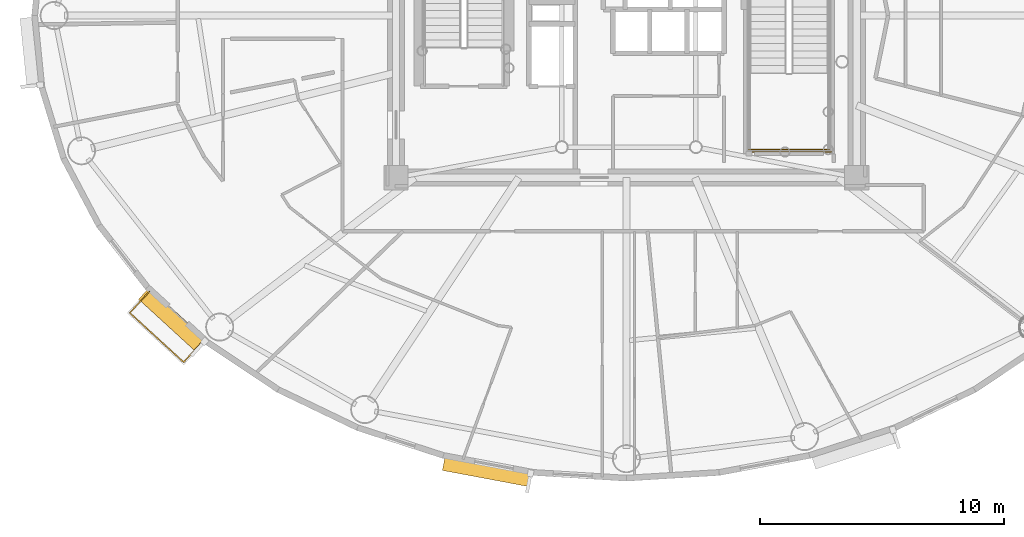
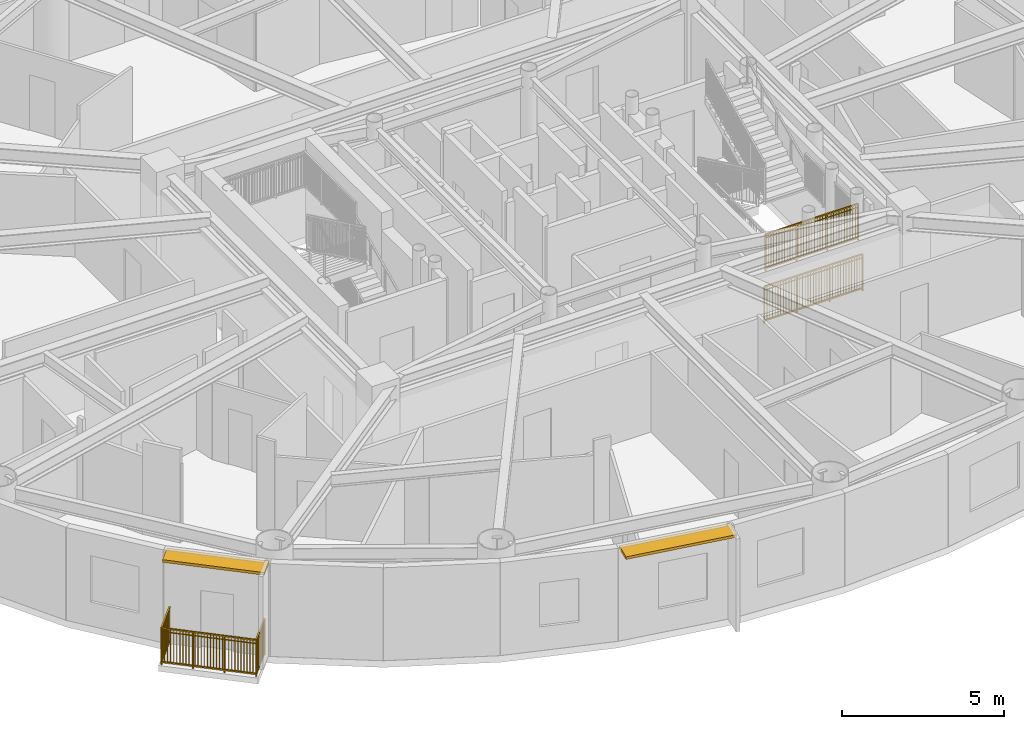
# One storey, part 11 of 16: 3 railings, 2 shading devices.
"""IFC4 building model written with IfcOpenShell, lengths in metres."""

from ifc_helpers import new_model, si_unit, direction, frame, origin, origin_2d, place, context, subcontext, project, spatial, rectangle, extrude, source, transform, mapped, material, layer, layer_set, type_object, element, save


model = new_model("IFC4")

# Units and contexts
model_context = context("Model", 3, precision=1e-05, world=origin(), true_north=direction((0.0, 1.0)))
body_context = subcontext(model_context, "Body", "Model", "MODEL_VIEW")
ifc_project = project(units=[si_unit("LENGTHUNIT", "METRE"), si_unit("AREAUNIT", "SQUARE_METRE"), si_unit("VOLUMEUNIT", "CUBIC_METRE"), si_unit("PLANEANGLEUNIT", "RADIAN"), si_unit("MASSUNIT", "GRAM", prefix="KILO")], contexts=[model_context])

# Site, building, storey
site_placement = place(None, origin())
site = spatial("IfcSite", under=ifc_project, at=site_placement, CompositionType="ELEMENT")
building_placement = place(site_placement, origin())
building = spatial("IfcBuilding", under=site, at=building_placement, Name="Linh Dai School and Residence Tower", CompositionType="ELEMENT")
storey_placement = place(building_placement, frame((0.0, 0.0, 255.300048828125)))
storey = spatial("IfcBuildingStorey", under=building, at=storey_placement, Name="L63", CompositionType="ELEMENT", Elevation=255.300048828125)

# Shading devices
ifc_material_1 = material(Name="Terracotta Ceramic Sunshade", Category="masonry")
ifc_layer = layer(ifc_material_1, 0.10009765625)
ifc_layer_set = layer_set([ifc_layer], Name="Terracotta Ceramic Sunshade")
shading_device_type = type_object("IfcShadingDeviceType", Name="SHD-TC-650", PredefinedType="USERDEFINED", material=ifc_layer_set)
shared_shape_1 = source(origin(), body_context, "Body", "SweptSolid", [
    extrude(rectangle(XDim=3.219482421875, YDim=0.64990234375, at=origin_2d()), origin(), (0.0, 0.0, 1.0), 0.10009765625),
])
shading_device_1_placement = place(storey_placement, frame((17.39501953125, 14.51220703125, 3.3798828125), z_axis=(0.0, 0.0, 1.0), x_axis=(-0.737125300096, 0.675756089102, 0.0)))
element("IfcShadingDevice", 1, at=shading_device_1_placement, inside=storey, type_object=shading_device_type, Name="L63 Terracotta Horizontal Sunshade Band 25", ObjectType="SUNSHADE", PredefinedType="USERDEFINED", context=body_context, shape_type="MappedRepresentation", body=[
    mapped(shared_shape_1, transform((0.0, 0.0, 0.0), x_axis=(1.0, 0.0, 0.0), y_axis=(0.0, 1.0, 0.0), z_axis=(0.0, 0.0, 1.0), scale=1.0)),
])
shared_shape_2 = source(origin(), body_context, "Body", "SweptSolid", [
    extrude(rectangle(XDim=3.62158203125, YDim=0.64990234375, at=origin_2d()), origin(), (0.0, 0.0, 1.0), 0.10009765625),
])
shading_device_2_placement = place(storey_placement, frame((30.2919921875, 8.32275390625, 3.3798828125), z_axis=(0.0, 0.0, 1.0), x_axis=(-0.982786586765, 0.18474448537, 0.0)))
element("IfcShadingDevice", 2, at=shading_device_2_placement, inside=storey, type_object=shading_device_type, Name="L63 Terracotta Horizontal Sunshade Band 29", ObjectType="SUNSHADE", PredefinedType="USERDEFINED", context=body_context, shape_type="MappedRepresentation", body=[
    mapped(shared_shape_2, transform((0.0, 0.0, 0.0), x_axis=(1.0, 0.0, 0.0), y_axis=(0.0, 1.0, 0.0), z_axis=(0.0, 0.0, 1.0), scale=1.0)),
])

# Railings
ifc_material_2 = material(Name="Structural Steel S355JR", Category="steel")
railing_type_1 = type_object("IfcRailingType", Name="RL-BAL-1400", PredefinedType="BALUSTRADE", material=ifc_material_2)
shared_shape_3 = source(origin(), body_context, "Body", "SweptSolid", [
    extrude(rectangle(XDim=0.048095703125, YDim=0.048095703125, at=origin_2d()), frame((0.0, 0.0, 1.3759765625), z_axis=(-0.675715259685, -0.737162728187, 0.0), x_axis=(0.737162728187, -0.675715259685, 0.0)), (0.0, 0.0, 1.0), 1.179931640625),
    extrude(rectangle(XDim=0.048095703125, YDim=0.048095703125, at=origin_2d()), frame((0.0, 0.0, 0.10009765625), z_axis=(-0.675715259685, -0.737162728187, 0.0), x_axis=(0.737162728187, -0.675715259685, 0.0)), (0.0, 0.0, 1.0), 1.179931640625),
    extrude(rectangle(XDim=0.030029296875, YDim=0.030029296875, at=origin_2d()), frame((0.0, 0.0, 1.239990234375), z_axis=(-0.675715259685, -0.737162728187, 0.0), x_axis=(0.737162728187, -0.675715259685, 0.0)), (0.0, 0.0, 1.0), 1.179931640625),
    extrude(rectangle(XDim=0.02001953125, YDim=0.02001953125, at=origin_2d()), frame((-0.061279296875, -0.06689453125, 0.10009765625)), (0.0, 0.0, 1.0), 1.251708984375),
    extrude(rectangle(XDim=0.02001953125, YDim=0.02001953125, at=origin_2d()), frame((-0.12255859375, -0.1337890625, 0.10009765625)), (0.0, 0.0, 1.0), 1.251708984375),
    extrude(rectangle(XDim=0.02001953125, YDim=0.02001953125, at=origin_2d()), frame((-0.18408203125, -0.20068359375, 0.10009765625)), (0.0, 0.0, 1.0), 1.251708984375),
    extrude(rectangle(XDim=0.02001953125, YDim=0.02001953125, at=origin_2d()), frame((-0.245361328125, -0.267578125, 0.10009765625)), (0.0, 0.0, 1.0), 1.251708984375),
    extrude(rectangle(XDim=0.02001953125, YDim=0.02001953125, at=origin_2d()), frame((-0.306640625, -0.33447265625, 0.10009765625)), (0.0, 0.0, 1.0), 1.251708984375),
    extrude(rectangle(XDim=0.02001953125, YDim=0.02001953125, at=origin_2d()), frame((-0.367919921875, -0.4013671875, 0.10009765625)), (0.0, 0.0, 1.0), 1.251708984375),
    extrude(rectangle(XDim=0.02001953125, YDim=0.02001953125, at=origin_2d()), frame((-0.429443359375, -0.468505859375, 0.10009765625)), (0.0, 0.0, 1.0), 1.251708984375),
    extrude(rectangle(XDim=0.02001953125, YDim=0.02001953125, at=origin_2d()), frame((-0.49072265625, -0.535400390625, 0.10009765625)), (0.0, 0.0, 1.0), 1.251708984375),
    extrude(rectangle(XDim=0.02001953125, YDim=0.02001953125, at=origin_2d()), frame((-0.552001953125, -0.602294921875, 0.10009765625)), (0.0, 0.0, 1.0), 1.251708984375),
    extrude(rectangle(XDim=0.02001953125, YDim=0.02001953125, at=origin_2d()), frame((-0.61328125, -0.669189453125, 0.10009765625)), (0.0, 0.0, 1.0), 1.251708984375),
    extrude(rectangle(XDim=0.02001953125, YDim=0.02001953125, at=origin_2d()), frame((-0.6748046875, -0.736083984375, 0.10009765625)), (0.0, 0.0, 1.0), 1.251708984375),
    extrude(rectangle(XDim=0.02001953125, YDim=0.02001953125, at=origin_2d()), frame((-0.736083984375, -0.802978515625, 0.10009765625)), (0.0, 0.0, 1.0), 1.251708984375),
    extrude(rectangle(XDim=0.048095703125, YDim=0.048095703125, at=origin_2d()), frame((-0.79736328125, -0.869873046875, 1.3759765625), z_axis=(-0.737143984648, 0.675735707135, 0.0), x_axis=(-0.675735707135, -0.737143984648, 0.0)), (0.0, 0.0, 1.0), 2.99365234375),
    extrude(rectangle(XDim=0.048095703125, YDim=0.048095703125, at=origin_2d()), frame((-0.79736328125, -0.869873046875, 0.10009765625), z_axis=(-0.737143984648, 0.675735707135, 0.0), x_axis=(-0.675735707135, -0.737143984648, 0.0)), (0.0, 0.0, 1.0), 2.99365234375),
    extrude(rectangle(XDim=0.030029296875, YDim=0.030029296875, at=origin_2d()), frame((-0.79736328125, -0.869873046875, 1.239990234375), z_axis=(-0.737143984648, 0.675735707135, 0.0), x_axis=(-0.675735707135, -0.737143984648, 0.0)), (0.0, 0.0, 1.0), 2.99365234375),
    extrude(rectangle(XDim=0.02001953125, YDim=0.02001953125, at=origin_2d()), frame((-0.86865234375, -0.8046875, 0.10009765625)), (0.0, 0.0, 1.0), 1.251708984375),
    extrude(rectangle(XDim=0.02001953125, YDim=0.02001953125, at=origin_2d()), frame((-0.939697265625, -0.7392578125, 0.10009765625)), (0.0, 0.0, 1.0), 1.251708984375),
    extrude(rectangle(XDim=0.02001953125, YDim=0.02001953125, at=origin_2d()), frame((-1.010986328125, -0.674072265625, 0.10009765625)), (0.0, 0.0, 1.0), 1.251708984375),
    extrude(rectangle(XDim=0.02001953125, YDim=0.02001953125, at=origin_2d()), frame((-1.08203125, -0.60888671875, 0.10009765625)), (0.0, 0.0, 1.0), 1.251708984375),
    extrude(rectangle(XDim=0.02001953125, YDim=0.02001953125, at=origin_2d()), frame((-1.1533203125, -0.543701171875, 0.10009765625)), (0.0, 0.0, 1.0), 1.251708984375),
    extrude(rectangle(XDim=0.02001953125, YDim=0.02001953125, at=origin_2d()), frame((-1.224365234375, -0.478271484375, 0.10009765625)), (0.0, 0.0, 1.0), 1.251708984375),
    extrude(rectangle(XDim=0.02001953125, YDim=0.02001953125, at=origin_2d()), frame((-1.295654296875, -0.4130859375, 0.10009765625)), (0.0, 0.0, 1.0), 1.251708984375),
    extrude(rectangle(XDim=0.02001953125, YDim=0.02001953125, at=origin_2d()), frame((-1.366943359375, -0.347900390625, 0.10009765625)), (0.0, 0.0, 1.0), 1.251708984375),
    extrude(rectangle(XDim=0.02001953125, YDim=0.02001953125, at=origin_2d()), frame((-1.43798828125, -0.282470703125, 0.10009765625)), (0.0, 0.0, 1.0), 1.251708984375),
    extrude(rectangle(XDim=0.02001953125, YDim=0.02001953125, at=origin_2d()), frame((-1.580322265625, -0.152099609375, 0.10009765625)), (0.0, 0.0, 1.0), 1.251708984375),
    extrude(rectangle(XDim=0.02001953125, YDim=0.02001953125, at=origin_2d()), frame((-1.651611328125, -0.0869140625, 0.10009765625)), (0.0, 0.0, 1.0), 1.251708984375),
    extrude(rectangle(XDim=0.02001953125, YDim=0.02001953125, at=origin_2d()), frame((-1.722900390625, -0.021484375, 0.10009765625)), (0.0, 0.0, 1.0), 1.251708984375),
    extrude(rectangle(XDim=0.02001953125, YDim=0.02001953125, at=origin_2d()), frame((-1.7939453125, 0.043701171875, 0.10009765625)), (0.0, 0.0, 1.0), 1.251708984375),
    extrude(rectangle(XDim=0.02001953125, YDim=0.02001953125, at=origin_2d()), frame((-1.865234375, 0.10888671875, 0.10009765625)), (0.0, 0.0, 1.0), 1.251708984375),
    extrude(rectangle(XDim=0.02001953125, YDim=0.02001953125, at=origin_2d()), frame((-1.936279296875, 0.17431640625, 0.10009765625)), (0.0, 0.0, 1.0), 1.251708984375),
    extrude(rectangle(XDim=0.02001953125, YDim=0.02001953125, at=origin_2d()), frame((-2.007568359375, 0.239501953125, 0.10009765625)), (0.0, 0.0, 1.0), 1.251708984375),
    extrude(rectangle(XDim=0.02001953125, YDim=0.02001953125, at=origin_2d()), frame((-2.07861328125, 0.3046875, 0.10009765625)), (0.0, 0.0, 1.0), 1.251708984375),
    extrude(rectangle(XDim=0.02001953125, YDim=0.02001953125, at=origin_2d()), frame((-2.14990234375, 0.3701171875, 0.10009765625)), (0.0, 0.0, 1.0), 1.251708984375),
    extrude(rectangle(XDim=0.02001953125, YDim=0.02001953125, at=origin_2d()), frame((-2.22119140625, 0.435302734375, 0.10009765625)), (0.0, 0.0, 1.0), 1.251708984375),
    extrude(rectangle(XDim=0.02001953125, YDim=0.02001953125, at=origin_2d()), frame((-2.363525390625, 0.565673828125, 0.10009765625)), (0.0, 0.0, 1.0), 1.251708984375),
    extrude(rectangle(XDim=0.02001953125, YDim=0.02001953125, at=origin_2d()), frame((-2.4345703125, 0.631103515625, 0.10009765625)), (0.0, 0.0, 1.0), 1.251708984375),
    extrude(rectangle(XDim=0.02001953125, YDim=0.02001953125, at=origin_2d()), frame((-2.505859375, 0.6962890625, 0.10009765625)), (0.0, 0.0, 1.0), 1.251708984375),
    extrude(rectangle(XDim=0.02001953125, YDim=0.02001953125, at=origin_2d()), frame((-2.5771484375, 0.761474609375, 0.10009765625)), (0.0, 0.0, 1.0), 1.251708984375),
    extrude(rectangle(XDim=0.02001953125, YDim=0.02001953125, at=origin_2d()), frame((-2.648193359375, 0.826904296875, 0.10009765625)), (0.0, 0.0, 1.0), 1.251708984375),
    extrude(rectangle(XDim=0.02001953125, YDim=0.02001953125, at=origin_2d()), frame((-2.719482421875, 0.89208984375, 0.10009765625)), (0.0, 0.0, 1.0), 1.251708984375),
    extrude(rectangle(XDim=0.02001953125, YDim=0.02001953125, at=origin_2d()), frame((-2.79052734375, 0.957275390625, 0.10009765625)), (0.0, 0.0, 1.0), 1.251708984375),
    extrude(rectangle(XDim=0.02001953125, YDim=0.02001953125, at=origin_2d()), frame((-2.86181640625, 1.0224609375, 0.10009765625)), (0.0, 0.0, 1.0), 1.251708984375),
    extrude(rectangle(XDim=0.02001953125, YDim=0.02001953125, at=origin_2d()), frame((-2.932861328125, 1.087890625, 0.10009765625)), (0.0, 0.0, 1.0), 1.251708984375),
    extrude(rectangle(XDim=0.048095703125, YDim=0.048095703125, at=origin_2d()), frame((-3.004150390625, 1.153076171875, 1.3759765625), z_axis=(0.675715259685, 0.737162728187, 0.0), x_axis=(-0.737162728187, 0.675715259685, 0.0)), (0.0, 0.0, 1.0), 1.179931640625),
    extrude(rectangle(XDim=0.048095703125, YDim=0.048095703125, at=origin_2d()), frame((-3.004150390625, 1.153076171875, 0.10009765625), z_axis=(0.675715259685, 0.737162728187, 0.0), x_axis=(-0.737162728187, 0.675715259685, 0.0)), (0.0, 0.0, 1.0), 1.179931640625),
    extrude(rectangle(XDim=0.030029296875, YDim=0.030029296875, at=origin_2d()), frame((-3.004150390625, 1.153076171875, 1.239990234375), z_axis=(0.675715259685, 0.737162728187, 0.0), x_axis=(-0.737162728187, 0.675715259685, 0.0)), (0.0, 0.0, 1.0), 1.179931640625),
    extrude(rectangle(XDim=0.02001953125, YDim=0.02001953125, at=origin_2d()), frame((-2.94287109375, 1.219970703125, 0.10009765625)), (0.0, 0.0, 1.0), 1.251708984375),
    extrude(rectangle(XDim=0.02001953125, YDim=0.02001953125, at=origin_2d()), frame((-2.881591796875, 1.286865234375, 0.10009765625)), (0.0, 0.0, 1.0), 1.251708984375),
    extrude(rectangle(XDim=0.02001953125, YDim=0.02001953125, at=origin_2d()), frame((-2.820068359375, 1.353759765625, 0.10009765625)), (0.0, 0.0, 1.0), 1.251708984375),
    extrude(rectangle(XDim=0.02001953125, YDim=0.02001953125, at=origin_2d()), frame((-2.7587890625, 1.420654296875, 0.10009765625)), (0.0, 0.0, 1.0), 1.251708984375),
    extrude(rectangle(XDim=0.02001953125, YDim=0.02001953125, at=origin_2d()), frame((-2.697509765625, 1.487548828125, 0.10009765625)), (0.0, 0.0, 1.0), 1.251708984375),
    extrude(rectangle(XDim=0.02001953125, YDim=0.02001953125, at=origin_2d()), frame((-2.63623046875, 1.554443359375, 0.10009765625)), (0.0, 0.0, 1.0), 1.251708984375),
    extrude(rectangle(XDim=0.02001953125, YDim=0.02001953125, at=origin_2d()), frame((-2.57470703125, 1.62158203125, 0.10009765625)), (0.0, 0.0, 1.0), 1.251708984375),
    extrude(rectangle(XDim=0.02001953125, YDim=0.02001953125, at=origin_2d()), frame((-2.513427734375, 1.6884765625, 0.10009765625)), (0.0, 0.0, 1.0), 1.251708984375),
    extrude(rectangle(XDim=0.02001953125, YDim=0.02001953125, at=origin_2d()), frame((-2.4521484375, 1.75537109375, 0.10009765625)), (0.0, 0.0, 1.0), 1.251708984375),
    extrude(rectangle(XDim=0.02001953125, YDim=0.02001953125, at=origin_2d()), frame((-2.390869140625, 1.822265625, 0.10009765625)), (0.0, 0.0, 1.0), 1.251708984375),
    extrude(rectangle(XDim=0.02001953125, YDim=0.02001953125, at=origin_2d()), frame((-2.329345703125, 1.88916015625, 0.10009765625)), (0.0, 0.0, 1.0), 1.251708984375),
    extrude(rectangle(XDim=0.02001953125, YDim=0.02001953125, at=origin_2d()), frame((-2.26806640625, 1.9560546875, 0.10009765625)), (0.0, 0.0, 1.0), 1.251708984375),
    extrude(rectangle(XDim=0.0419921875, YDim=0.0419921875, at=origin_2d()), origin(), (0.0, 0.0, 1.0), 1.3759765625),
    extrude(rectangle(XDim=0.0419921875, YDim=0.0419921875, at=origin_2d()), frame((-0.79736328125, -0.869873046875, 0.0)), (0.0, 0.0, 1.0), 1.3759765625),
    extrude(rectangle(XDim=0.0419921875, YDim=0.0419921875, at=origin_2d()), frame((-1.532958984375, -0.195556640625, 0.0)), (0.0, 0.0, 1.0), 1.3759765625),
    extrude(rectangle(XDim=0.0419921875, YDim=0.0419921875, at=origin_2d()), frame((-2.2685546875, 0.478759765625, 0.0)), (0.0, 0.0, 1.0), 1.3759765625),
    extrude(rectangle(XDim=0.0419921875, YDim=0.0419921875, at=origin_2d()), frame((-3.004150390625, 1.153076171875, 0.0)), (0.0, 0.0, 1.0), 1.3759765625),
    extrude(rectangle(XDim=0.0419921875, YDim=0.0419921875, at=origin_2d()), frame((-2.206787109375, 2.02294921875, 0.0)), (0.0, 0.0, 1.0), 1.3759765625),
])
railing_1_placement = place(storey_placement, frame((18.633544921875, 13.648193359375, 0.0)))
element("IfcRailing", 3, at=railing_1_placement, inside=storey, type_object=railing_type_1, Name="L63 Balcony Safety Balustrade 25", PredefinedType="BALUSTRADE", context=body_context, shape_type="MappedRepresentation", body=[
    mapped(shared_shape_3, transform((0.0, 0.0, 0.0), x_axis=(1.0, 0.0, 0.0), y_axis=(0.0, 1.0, 0.0), z_axis=(0.0, 0.0, 1.0), scale=1.0)),
])
railing_type_2 = type_object("IfcRailingType", Name="RL-ST-GUARD-1400", PredefinedType="GUARDRAIL", material=ifc_material_2)
shared_shape_4 = source(origin(), body_context, "Body", "SweptSolid", [
    extrude(rectangle(XDim=0.048095703125, YDim=0.048095703125, at=origin_2d()), frame((0.0, 0.0, 1.3759765625), z_axis=(1.0, 0.0, 0.0), x_axis=(0.0, 1.0, 0.0)), (0.0, 0.0, 1.0), 3.300048828125),
    extrude(rectangle(XDim=0.048095703125, YDim=0.048095703125, at=origin_2d()), frame((0.0, 0.0, 0.10009765625), z_axis=(1.0, 0.0, 0.0), x_axis=(0.0, 1.0, 0.0)), (0.0, 0.0, 1.0), 3.300048828125),
    extrude(rectangle(XDim=0.030029296875, YDim=0.030029296875, at=origin_2d()), frame((0.0, 0.0, 1.239990234375), z_axis=(1.0, 0.0, 0.0), x_axis=(0.0, 1.0, 0.0)), (0.0, 0.0, 1.0), 3.300048828125),
    extrude(rectangle(XDim=0.02001953125, YDim=0.02001953125, at=origin_2d()), frame((0.09716796875, 0.0, 0.10009765625)), (0.0, 0.0, 1.0), 1.251708984375),
    extrude(rectangle(XDim=0.02001953125, YDim=0.02001953125, at=origin_2d()), frame((0.194091796875, 0.0, 0.10009765625)), (0.0, 0.0, 1.0), 1.251708984375),
    extrude(rectangle(XDim=0.02001953125, YDim=0.02001953125, at=origin_2d()), frame((0.291259765625, 0.0, 0.10009765625)), (0.0, 0.0, 1.0), 1.251708984375),
    extrude(rectangle(XDim=0.02001953125, YDim=0.02001953125, at=origin_2d()), frame((0.38818359375, 0.0, 0.10009765625)), (0.0, 0.0, 1.0), 1.251708984375),
    extrude(rectangle(XDim=0.02001953125, YDim=0.02001953125, at=origin_2d()), frame((0.4853515625, 0.0, 0.10009765625)), (0.0, 0.0, 1.0), 1.251708984375),
    extrude(rectangle(XDim=0.02001953125, YDim=0.02001953125, at=origin_2d()), frame((0.582275390625, 0.0, 0.10009765625)), (0.0, 0.0, 1.0), 1.251708984375),
    extrude(rectangle(XDim=0.02001953125, YDim=0.02001953125, at=origin_2d()), frame((0.679443359375, 0.0, 0.10009765625)), (0.0, 0.0, 1.0), 1.251708984375),
    extrude(rectangle(XDim=0.02001953125, YDim=0.02001953125, at=origin_2d()), frame((0.7763671875, 0.0, 0.10009765625)), (0.0, 0.0, 1.0), 1.251708984375),
    extrude(rectangle(XDim=0.02001953125, YDim=0.02001953125, at=origin_2d()), frame((0.87353515625, 0.0, 0.10009765625)), (0.0, 0.0, 1.0), 1.251708984375),
    extrude(rectangle(XDim=0.02001953125, YDim=0.02001953125, at=origin_2d()), frame((0.970703125, 0.0, 0.10009765625)), (0.0, 0.0, 1.0), 1.251708984375),
    extrude(rectangle(XDim=0.02001953125, YDim=0.02001953125, at=origin_2d()), frame((1.164794921875, 0.0, 0.10009765625)), (0.0, 0.0, 1.0), 1.251708984375),
    extrude(rectangle(XDim=0.02001953125, YDim=0.02001953125, at=origin_2d()), frame((1.26171875, 0.0, 0.10009765625)), (0.0, 0.0, 1.0), 1.251708984375),
    extrude(rectangle(XDim=0.02001953125, YDim=0.02001953125, at=origin_2d()), frame((1.35888671875, 0.0, 0.10009765625)), (0.0, 0.0, 1.0), 1.251708984375),
    extrude(rectangle(XDim=0.02001953125, YDim=0.02001953125, at=origin_2d()), frame((1.455810546875, 0.0, 0.10009765625)), (0.0, 0.0, 1.0), 1.251708984375),
    extrude(rectangle(XDim=0.02001953125, YDim=0.02001953125, at=origin_2d()), frame((1.552978515625, 0.0, 0.10009765625)), (0.0, 0.0, 1.0), 1.251708984375),
    extrude(rectangle(XDim=0.02001953125, YDim=0.02001953125, at=origin_2d()), frame((1.64990234375, 0.0, 0.10009765625)), (0.0, 0.0, 1.0), 1.251708984375),
    extrude(rectangle(XDim=0.02001953125, YDim=0.02001953125, at=origin_2d()), frame((1.7470703125, 0.0, 0.10009765625)), (0.0, 0.0, 1.0), 1.251708984375),
    extrude(rectangle(XDim=0.02001953125, YDim=0.02001953125, at=origin_2d()), frame((1.84423828125, 0.0, 0.10009765625)), (0.0, 0.0, 1.0), 1.251708984375),
    extrude(rectangle(XDim=0.02001953125, YDim=0.02001953125, at=origin_2d()), frame((1.941162109375, 0.0, 0.10009765625)), (0.0, 0.0, 1.0), 1.251708984375),
    extrude(rectangle(XDim=0.02001953125, YDim=0.02001953125, at=origin_2d()), frame((2.038330078125, 0.0, 0.10009765625)), (0.0, 0.0, 1.0), 1.251708984375),
    extrude(rectangle(XDim=0.02001953125, YDim=0.02001953125, at=origin_2d()), frame((2.13525390625, 0.0, 0.10009765625)), (0.0, 0.0, 1.0), 1.251708984375),
    extrude(rectangle(XDim=0.02001953125, YDim=0.02001953125, at=origin_2d()), frame((2.329345703125, 0.0, 0.10009765625)), (0.0, 0.0, 1.0), 1.251708984375),
    extrude(rectangle(XDim=0.02001953125, YDim=0.02001953125, at=origin_2d()), frame((2.426513671875, 0.0, 0.10009765625)), (0.0, 0.0, 1.0), 1.251708984375),
    extrude(rectangle(XDim=0.02001953125, YDim=0.02001953125, at=origin_2d()), frame((2.523681640625, 0.0, 0.10009765625)), (0.0, 0.0, 1.0), 1.251708984375),
    extrude(rectangle(XDim=0.02001953125, YDim=0.02001953125, at=origin_2d()), frame((2.62060546875, 0.0, 0.10009765625)), (0.0, 0.0, 1.0), 1.251708984375),
    extrude(rectangle(XDim=0.02001953125, YDim=0.02001953125, at=origin_2d()), frame((2.7177734375, 0.0, 0.10009765625)), (0.0, 0.0, 1.0), 1.251708984375),
    extrude(rectangle(XDim=0.02001953125, YDim=0.02001953125, at=origin_2d()), frame((2.814697265625, 0.0, 0.10009765625)), (0.0, 0.0, 1.0), 1.251708984375),
    extrude(rectangle(XDim=0.02001953125, YDim=0.02001953125, at=origin_2d()), frame((2.911865234375, 0.0, 0.10009765625)), (0.0, 0.0, 1.0), 1.251708984375),
    extrude(rectangle(XDim=0.02001953125, YDim=0.02001953125, at=origin_2d()), frame((3.0087890625, 0.0, 0.10009765625)), (0.0, 0.0, 1.0), 1.251708984375),
    extrude(rectangle(XDim=0.02001953125, YDim=0.02001953125, at=origin_2d()), frame((3.10595703125, 0.0, 0.10009765625)), (0.0, 0.0, 1.0), 1.251708984375),
    extrude(rectangle(XDim=0.02001953125, YDim=0.02001953125, at=origin_2d()), frame((3.202880859375, 0.0, 0.10009765625)), (0.0, 0.0, 1.0), 1.251708984375),
    extrude(rectangle(XDim=0.0419921875, YDim=0.0419921875, at=origin_2d()), origin(), (0.0, 0.0, 1.0), 1.3759765625),
    extrude(rectangle(XDim=0.0419921875, YDim=0.0419921875, at=origin_2d()), frame((1.10009765625, 0.0, 0.0)), (0.0, 0.0, 1.0), 1.3759765625),
    extrude(rectangle(XDim=0.0419921875, YDim=0.0419921875, at=origin_2d()), frame((2.199951171875, 0.0, 0.0)), (0.0, 0.0, 1.0), 1.3759765625),
    extrude(rectangle(XDim=0.0419921875, YDim=0.0419921875, at=origin_2d()), frame((3.300048828125, 0.0, 0.0)), (0.0, 0.0, 1.0), 1.3759765625),
])
railing_2_placement = place(storey_placement, frame((41.02001953125, 21.5, 1.875)))
element("IfcRailing", 4, at=railing_2_placement, inside=storey, type_object=railing_type_2, Name="L63 ST2 stair guard 5", PredefinedType="GUARDRAIL", context=body_context, shape_type="MappedRepresentation", body=[
    mapped(shared_shape_4, transform((0.0, 0.0, 0.0), x_axis=(1.0, 0.0, 0.0), y_axis=(0.0, 1.0, 0.0), z_axis=(0.0, 0.0, 1.0), scale=1.0)),
])
shared_shape_5 = source(origin(), body_context, "Body", "SweptSolid", [
    extrude(rectangle(XDim=0.048095703125, YDim=0.048095703125, at=origin_2d()), frame((0.0, 0.0, 1.3759765625), z_axis=(1.0, 0.0, 0.0), x_axis=(0.0, 1.0, 0.0)), (0.0, 0.0, 1.0), 3.5),
    extrude(rectangle(XDim=0.048095703125, YDim=0.048095703125, at=origin_2d()), frame((0.0, 0.0, 0.10009765625), z_axis=(1.0, 0.0, 0.0), x_axis=(0.0, 1.0, 0.0)), (0.0, 0.0, 1.0), 3.5),
    extrude(rectangle(XDim=0.030029296875, YDim=0.030029296875, at=origin_2d()), frame((0.0, 0.0, 1.239990234375), z_axis=(1.0, 0.0, 0.0), x_axis=(0.0, 1.0, 0.0)), (0.0, 0.0, 1.0), 3.5),
    extrude(rectangle(XDim=0.02001953125, YDim=0.02001953125, at=origin_2d()), frame((0.09716796875, 0.0, 0.10009765625)), (0.0, 0.0, 1.0), 1.251708984375),
    extrude(rectangle(XDim=0.02001953125, YDim=0.02001953125, at=origin_2d()), frame((0.1943359375, 0.0, 0.10009765625)), (0.0, 0.0, 1.0), 1.251708984375),
    extrude(rectangle(XDim=0.02001953125, YDim=0.02001953125, at=origin_2d()), frame((0.291748046875, 0.0, 0.10009765625)), (0.0, 0.0, 1.0), 1.251708984375),
    extrude(rectangle(XDim=0.02001953125, YDim=0.02001953125, at=origin_2d()), frame((0.388916015625, 0.0, 0.10009765625)), (0.0, 0.0, 1.0), 1.251708984375),
    extrude(rectangle(XDim=0.02001953125, YDim=0.02001953125, at=origin_2d()), frame((0.486083984375, 0.0, 0.10009765625)), (0.0, 0.0, 1.0), 1.251708984375),
    extrude(rectangle(XDim=0.02001953125, YDim=0.02001953125, at=origin_2d()), frame((0.583251953125, 0.0, 0.10009765625)), (0.0, 0.0, 1.0), 1.251708984375),
    extrude(rectangle(XDim=0.02001953125, YDim=0.02001953125, at=origin_2d()), frame((0.6806640625, 0.0, 0.10009765625)), (0.0, 0.0, 1.0), 1.251708984375),
    extrude(rectangle(XDim=0.02001953125, YDim=0.02001953125, at=origin_2d()), frame((0.77783203125, 0.0, 0.10009765625)), (0.0, 0.0, 1.0), 1.251708984375),
    extrude(rectangle(XDim=0.02001953125, YDim=0.02001953125, at=origin_2d()), frame((0.875, 0.0, 0.10009765625)), (0.0, 0.0, 1.0), 1.251708984375),
    extrude(rectangle(XDim=0.02001953125, YDim=0.02001953125, at=origin_2d()), frame((0.97216796875, 0.0, 0.10009765625)), (0.0, 0.0, 1.0), 1.251708984375),
    extrude(rectangle(XDim=0.02001953125, YDim=0.02001953125, at=origin_2d()), frame((1.0693359375, 0.0, 0.10009765625)), (0.0, 0.0, 1.0), 1.251708984375),
    extrude(rectangle(XDim=0.02001953125, YDim=0.02001953125, at=origin_2d()), frame((1.263916015625, 0.0, 0.10009765625)), (0.0, 0.0, 1.0), 1.251708984375),
    extrude(rectangle(XDim=0.02001953125, YDim=0.02001953125, at=origin_2d()), frame((1.361083984375, 0.0, 0.10009765625)), (0.0, 0.0, 1.0), 1.251708984375),
    extrude(rectangle(XDim=0.02001953125, YDim=0.02001953125, at=origin_2d()), frame((1.458251953125, 0.0, 0.10009765625)), (0.0, 0.0, 1.0), 1.251708984375),
    extrude(rectangle(XDim=0.02001953125, YDim=0.02001953125, at=origin_2d()), frame((1.5556640625, 0.0, 0.10009765625)), (0.0, 0.0, 1.0), 1.251708984375),
    extrude(rectangle(XDim=0.02001953125, YDim=0.02001953125, at=origin_2d()), frame((1.65283203125, 0.0, 0.10009765625)), (0.0, 0.0, 1.0), 1.251708984375),
    extrude(rectangle(XDim=0.02001953125, YDim=0.02001953125, at=origin_2d()), frame((1.75, 0.0, 0.10009765625)), (0.0, 0.0, 1.0), 1.251708984375),
    extrude(rectangle(XDim=0.02001953125, YDim=0.02001953125, at=origin_2d()), frame((1.84716796875, 0.0, 0.10009765625)), (0.0, 0.0, 1.0), 1.251708984375),
    extrude(rectangle(XDim=0.02001953125, YDim=0.02001953125, at=origin_2d()), frame((1.9443359375, 0.0, 0.10009765625)), (0.0, 0.0, 1.0), 1.251708984375),
    extrude(rectangle(XDim=0.02001953125, YDim=0.02001953125, at=origin_2d()), frame((2.041748046875, 0.0, 0.10009765625)), (0.0, 0.0, 1.0), 1.251708984375),
    extrude(rectangle(XDim=0.02001953125, YDim=0.02001953125, at=origin_2d()), frame((2.138916015625, 0.0, 0.10009765625)), (0.0, 0.0, 1.0), 1.251708984375),
    extrude(rectangle(XDim=0.02001953125, YDim=0.02001953125, at=origin_2d()), frame((2.236083984375, 0.0, 0.10009765625)), (0.0, 0.0, 1.0), 1.251708984375),
    extrude(rectangle(XDim=0.02001953125, YDim=0.02001953125, at=origin_2d()), frame((2.4306640625, 0.0, 0.10009765625)), (0.0, 0.0, 1.0), 1.251708984375),
    extrude(rectangle(XDim=0.02001953125, YDim=0.02001953125, at=origin_2d()), frame((2.52783203125, 0.0, 0.10009765625)), (0.0, 0.0, 1.0), 1.251708984375),
    extrude(rectangle(XDim=0.02001953125, YDim=0.02001953125, at=origin_2d()), frame((2.625, 0.0, 0.10009765625)), (0.0, 0.0, 1.0), 1.251708984375),
    extrude(rectangle(XDim=0.02001953125, YDim=0.02001953125, at=origin_2d()), frame((2.72216796875, 0.0, 0.10009765625)), (0.0, 0.0, 1.0), 1.251708984375),
    extrude(rectangle(XDim=0.02001953125, YDim=0.02001953125, at=origin_2d()), frame((2.8193359375, 0.0, 0.10009765625)), (0.0, 0.0, 1.0), 1.251708984375),
    extrude(rectangle(XDim=0.02001953125, YDim=0.02001953125, at=origin_2d()), frame((2.916748046875, 0.0, 0.10009765625)), (0.0, 0.0, 1.0), 1.251708984375),
    extrude(rectangle(XDim=0.02001953125, YDim=0.02001953125, at=origin_2d()), frame((3.013916015625, 0.0, 0.10009765625)), (0.0, 0.0, 1.0), 1.251708984375),
    extrude(rectangle(XDim=0.02001953125, YDim=0.02001953125, at=origin_2d()), frame((3.111083984375, 0.0, 0.10009765625)), (0.0, 0.0, 1.0), 1.251708984375),
    extrude(rectangle(XDim=0.02001953125, YDim=0.02001953125, at=origin_2d()), frame((3.208251953125, 0.0, 0.10009765625)), (0.0, 0.0, 1.0), 1.251708984375),
    extrude(rectangle(XDim=0.02001953125, YDim=0.02001953125, at=origin_2d()), frame((3.3056640625, 0.0, 0.10009765625)), (0.0, 0.0, 1.0), 1.251708984375),
    extrude(rectangle(XDim=0.02001953125, YDim=0.02001953125, at=origin_2d()), frame((3.40283203125, 0.0, 0.10009765625)), (0.0, 0.0, 1.0), 1.251708984375),
    extrude(rectangle(XDim=0.0419921875, YDim=0.0419921875, at=origin_2d()), origin(), (0.0, 0.0, 1.0), 1.3759765625),
    extrude(rectangle(XDim=0.0419921875, YDim=0.0419921875, at=origin_2d()), frame((1.166748046875, 0.0, 0.0)), (0.0, 0.0, 1.0), 1.3759765625),
    extrude(rectangle(XDim=0.0419921875, YDim=0.0419921875, at=origin_2d()), frame((2.333251953125, 0.0, 0.0)), (0.0, 0.0, 1.0), 1.3759765625),
    extrude(rectangle(XDim=0.0419921875, YDim=0.0419921875, at=origin_2d()), frame((3.5, 0.0, 0.0)), (0.0, 0.0, 1.0), 1.3759765625),
])
railing_3_placement = place(storey_placement, frame((40.919921875, 21.39990234375, 0.0)))
element("IfcRailing", 5, at=railing_3_placement, inside=storey, type_object=railing_type_2, Name="L63 ST2 stair guard 12", PredefinedType="GUARDRAIL", context=body_context, shape_type="MappedRepresentation", body=[
    mapped(shared_shape_5, transform((0.0, 0.0, 0.0), x_axis=(1.0, 0.0, 0.0), y_axis=(0.0, 1.0, 0.0), z_axis=(0.0, 0.0, 1.0), scale=1.0)),
])

save(model, "model.ifc")
